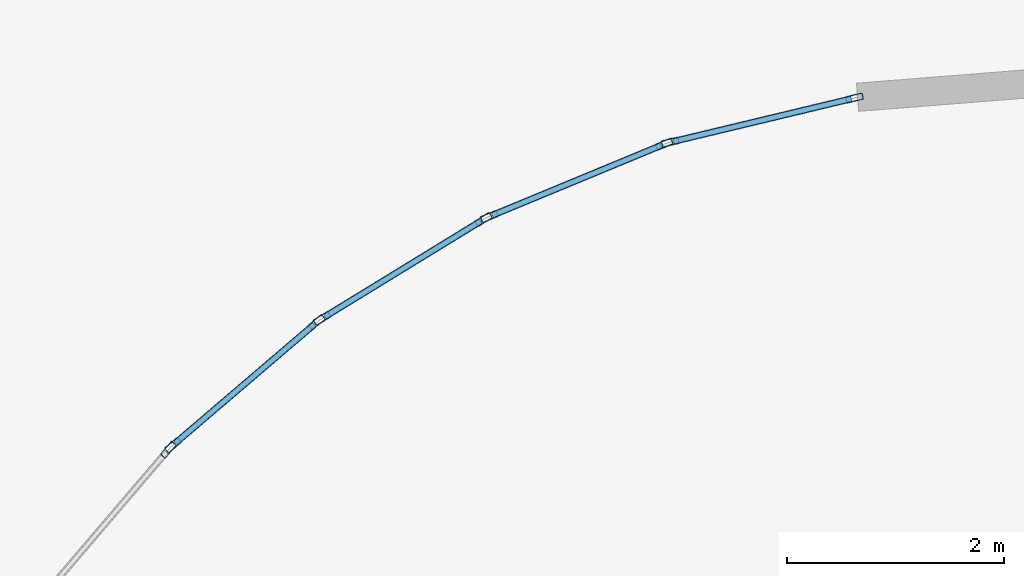
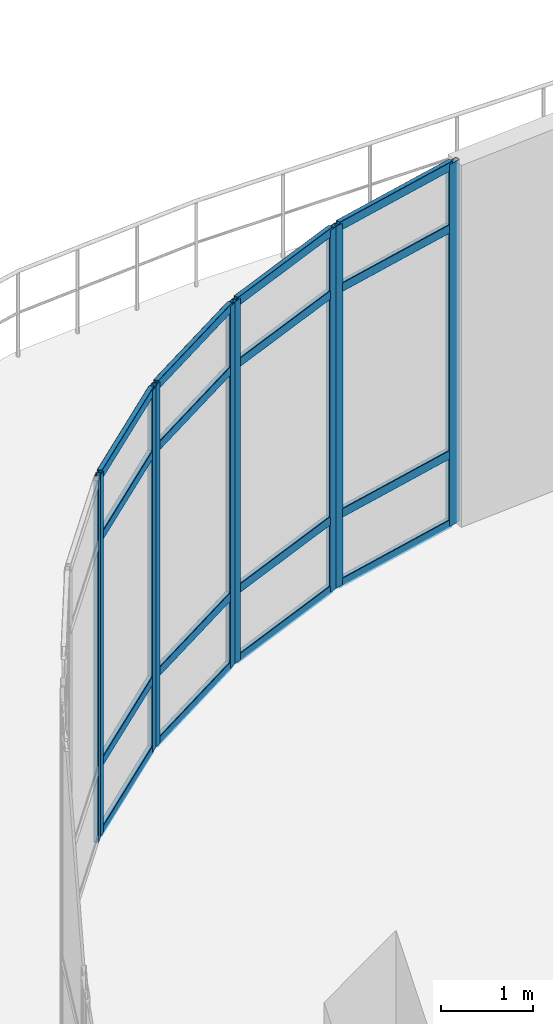
# One storey, part 21 of 120: 25 members, 5 elements without a shape of their own.
"""IFC4 building model written with IfcOpenShell, lengths in metres."""

from ifc_helpers import new_model, si_unit, derived_unit, direction, frame, origin, origin_2d, place, context, subcontext, project, spatial, hollow_rectangle, extrude, material, layer, layer_set, material_profile, profile_set, type_object, element, aggregate, save


model = new_model("IFC4")

# Units and contexts
model_context = context("Model", 3, precision=1e-05, world=origin(), true_north=direction((0.0, 1.0)))
body_context = subcontext(model_context, "Body", "Model", "MODEL_VIEW")
ifc_project = project(units=[si_unit("LENGTHUNIT", "METRE"), si_unit("AREAUNIT", "SQUARE_METRE"), si_unit("VOLUMEUNIT", "CUBIC_METRE"), si_unit("PLANEANGLEUNIT", "RADIAN"), si_unit("MASSUNIT", "GRAM", prefix="KILO"), derived_unit("THERMALTRANSMITTANCEUNIT", [(si_unit("MASSUNIT", "GRAM", prefix="KILO"), 1), (si_unit("TIMEUNIT", "SECOND"), -3), (si_unit("THERMODYNAMICTEMPERATUREUNIT", "KELVIN"), -1)])], contexts=[model_context])

# Site, building, storey
site_placement = place(None, origin())
site = spatial("IfcSite", under=ifc_project, at=site_placement, CompositionType="ELEMENT")
building_placement = place(site_placement, origin())
building = spatial("IfcBuilding", under=site, at=building_placement, Name="Qinzheling Arcade Emporium", CompositionType="ELEMENT")
storey_placement = place(building_placement, frame((0.0, 0.0, 11.39990234375)))
storey = spatial("IfcBuildingStorey", under=building, at=storey_placement, Name="L03", CompositionType="ELEMENT", Elevation=11.39990234375)

# Curtain wall, member
ifc_material_1 = material(Name="Anodised aluminium and solar-control double glazing", Category="aluminium")
ifc_layer = layer(ifc_material_1, 0.159912109375, Name="Anodised aluminium and solar-control double glazing", Category="aluminium")
ifc_layer_set = layer_set([ifc_layer], Name="Anodised aluminium and solar-control double glazing")
curtain_wall_type = type_object("IfcCurtainWallType", Name="Curved Ribbon Sales Curtain Wall", PredefinedType="NOTDEFINED", material=ifc_layer_set)
curtain_wall_1_placement = place(storey_placement, origin())
curtain_wall_1 = element("IfcCurtainWall", 1, at=curtain_wall_1_placement, inside=storey, type_object=curtain_wall_type, Name="Curtain Wall CW-L03-168", PredefinedType="NOTDEFINED")
ifc_material_2 = material(Name="Anodised aluminium 6063-T6", Category="aluminium")
ifc_material_profile_1 = material_profile(ifc_material_2, hollow_rectangle(XDim=0.06005859375, YDim=0.159912109375, WallThickness=0.00390625, InnerFilletRadius=0.00390625, OuterFilletRadius=0.008056640625, at=origin_2d()), Name="RHS 160x60x4", Category="aluminium")
ifc_profile_set_1 = profile_set([ifc_material_profile_1], Name="Anodised aluminium 6063-T6")
member_type_1 = type_object("IfcMemberType", Name="Curtain Wall Mullion RHS160x60", PredefinedType="MULLION", material=ifc_profile_set_1)
member_1_placement = place(storey_placement, frame((17.548583984375, 56.80908203125, 0.0), z_axis=(0.0, 0.0, 1.0), x_axis=(-0.760350870345, 0.649512551046, 0.0)))
member_1 = element("IfcMember", 2, at=member_1_placement, type_object=member_type_1, Name="CW02 mullion 2", PredefinedType="MULLION", context=body_context, shape_type="SweptSolid", body=[
    extrude(hollow_rectangle(XDim=0.06005859375, YDim=0.159912109375, WallThickness=0.00390625, InnerFilletRadius=0.00390625, OuterFilletRadius=0.008056640625, at=origin_2d()), origin(), (0.0, 0.0, 1.0), 4.7900390625),
])
aggregate(curtain_wall_1, [member_1])

# Curtain wall, members
curtain_wall_2_placement = place(storey_placement, origin())
curtain_wall_2 = element("IfcCurtainWall", 3, at=curtain_wall_2_placement, inside=storey, type_object=curtain_wall_type, Name="Curtain Wall CW-L03-169", PredefinedType="NOTDEFINED")
member_2_placement = place(storey_placement, frame((17.5908203125, 56.8515625, 0.0), z_axis=(0.0, 0.0, 1.0), x_axis=(-0.649512551046, 0.760350870345, 0.0)))
member_2 = element("IfcMember", 4, at=member_2_placement, type_object=member_type_1, Name="CW02 mullion 1", PredefinedType="MULLION", context=body_context, shape_type="SweptSolid", body=[
    extrude(hollow_rectangle(XDim=0.06005859375, YDim=0.159912109375, WallThickness=0.00390625, InnerFilletRadius=0.00390625, OuterFilletRadius=0.008056640625, at=origin_2d()), origin(), (0.0, 0.0, 1.0), 4.7900390625),
])
member_3_placement = place(storey_placement, frame((18.917236328125, 57.984619140625, 0.0), z_axis=(0.0, 0.0, 1.0), x_axis=(-0.649512551046, 0.760350870345, 0.0)))
member_3 = element("IfcMember", 5, at=member_3_placement, type_object=member_type_1, Name="CW02 mullion 2", PredefinedType="MULLION", context=body_context, shape_type="SweptSolid", body=[
    extrude(hollow_rectangle(XDim=0.06005859375, YDim=0.159912109375, WallThickness=0.00390625, InnerFilletRadius=0.00390625, OuterFilletRadius=0.008056640625, at=origin_2d()), origin(), (0.0, 0.0, 1.0), 4.7900390625),
])

curtain_wall_3_placement = place(storey_placement, origin())
curtain_wall_3 = element("IfcCurtainWall", 6, at=curtain_wall_3_placement, inside=storey, type_object=curtain_wall_type, Name="Curtain Wall CW-L03-170", PredefinedType="NOTDEFINED")
member_4_placement = place(storey_placement, frame((18.965576171875, 58.019775390625, 0.0), z_axis=(0.0, 0.0, 1.0), x_axis=(-0.522458119474, 0.852664947911, 0.0)))
member_4 = element("IfcMember", 7, at=member_4_placement, type_object=member_type_1, Name="CW02 mullion 1", PredefinedType="MULLION", context=body_context, shape_type="SweptSolid", body=[
    extrude(hollow_rectangle(XDim=0.06005859375, YDim=0.159912109375, WallThickness=0.00390625, InnerFilletRadius=0.00390625, OuterFilletRadius=0.008056640625, at=origin_2d()), origin(), (0.0, 0.0, 1.0), 4.7900390625),
])
member_5_placement = place(storey_placement, frame((20.453369140625, 58.931396484375, 0.0), z_axis=(0.0, 0.0, 1.0), x_axis=(-0.522458119474, 0.852664947911, 0.0)))
member_5 = element("IfcMember", 8, at=member_5_placement, type_object=member_type_1, Name="CW02 mullion 2", PredefinedType="MULLION", context=body_context, shape_type="SweptSolid", body=[
    extrude(hollow_rectangle(XDim=0.06005859375, YDim=0.159912109375, WallThickness=0.00390625, InnerFilletRadius=0.00390625, OuterFilletRadius=0.008056640625, at=origin_2d()), origin(), (0.0, 0.0, 1.0), 4.7900390625),
])

curtain_wall_4_placement = place(storey_placement, origin())
curtain_wall_4 = element("IfcCurtainWall", 9, at=curtain_wall_4_placement, inside=storey, type_object=curtain_wall_type, Name="Curtain Wall CW-L03-171", PredefinedType="NOTDEFINED")
member_6_placement = place(storey_placement, frame((20.5068359375, 58.95849609375, 0.0), z_axis=(0.0, 0.0, 1.0), x_axis=(-0.382449703098, 0.92397631171, 0.0)))
member_6 = element("IfcMember", 10, at=member_6_placement, type_object=member_type_1, Name="CW02 mullion 1", PredefinedType="MULLION", context=body_context, shape_type="SweptSolid", body=[
    extrude(hollow_rectangle(XDim=0.06005859375, YDim=0.159912109375, WallThickness=0.00390625, InnerFilletRadius=0.00390625, OuterFilletRadius=0.008056640625, at=origin_2d()), origin(), (0.0, 0.0, 1.0), 4.7900390625),
])
member_7_placement = place(storey_placement, frame((22.1181640625, 59.62548828125, 0.0), z_axis=(0.0, 0.0, 1.0), x_axis=(-0.382449703098, 0.92397631171, 0.0)))
member_7 = element("IfcMember", 11, at=member_7_placement, type_object=member_type_1, Name="CW02 mullion 2", PredefinedType="MULLION", context=body_context, shape_type="SweptSolid", body=[
    extrude(hollow_rectangle(XDim=0.06005859375, YDim=0.159912109375, WallThickness=0.00390625, InnerFilletRadius=0.00390625, OuterFilletRadius=0.008056640625, at=origin_2d()), origin(), (0.0, 0.0, 1.0), 4.7900390625),
])

curtain_wall_5_placement = place(storey_placement, origin())
curtain_wall_5 = element("IfcCurtainWall", 12, at=curtain_wall_5_placement, inside=storey, type_object=curtain_wall_type, Name="Curtain Wall CW-L03-172", PredefinedType="NOTDEFINED")
member_8_placement = place(storey_placement, frame((22.17529296875, 59.64404296875, 0.0), z_axis=(0.0, 0.0, 1.0), x_axis=(-0.23326817027, 0.972412443739, 0.0)))
member_8 = element("IfcMember", 13, at=member_8_placement, type_object=member_type_1, Name="CW02 mullion 1", PredefinedType="MULLION", context=body_context, shape_type="SweptSolid", body=[
    extrude(hollow_rectangle(XDim=0.06005859375, YDim=0.159912109375, WallThickness=0.00390625, InnerFilletRadius=0.00390625, OuterFilletRadius=0.008056640625, at=origin_2d()), origin(), (0.0, 0.0, 1.0), 4.7900390625),
])
member_9_placement = place(storey_placement, frame((23.871826171875, 60.051025390625, 0.0), z_axis=(0.0, 0.0, 1.0), x_axis=(-0.23326817027, 0.972412443739, 0.0)))
member_9 = element("IfcMember", 14, at=member_9_placement, type_object=member_type_1, Name="CW02 mullion 2", PredefinedType="MULLION", context=body_context, shape_type="SweptSolid", body=[
    extrude(hollow_rectangle(XDim=0.06005859375, YDim=0.159912109375, WallThickness=0.00390625, InnerFilletRadius=0.00390625, OuterFilletRadius=0.008056640625, at=origin_2d()), origin(), (0.0, 0.0, 1.0), 4.7900390625),
])

# Member
ifc_material_profile_2 = material_profile(ifc_material_2, hollow_rectangle(XDim=0.06005859375, YDim=0.1201171875, WallThickness=0.00390625, InnerFilletRadius=0.00390625, OuterFilletRadius=0.008056640625, at=origin_2d()), Name="RHS 120x60x4", Category="aluminium")
ifc_profile_set_2 = profile_set([ifc_material_profile_2], Name="Anodised aluminium 6063-T6")
member_type_2 = type_object("IfcMemberType", Name="Curtain Wall Transom RHS120x60", PredefinedType="USERDEFINED", material=ifc_profile_set_2)
member_10_placement = place(storey_placement, frame((17.613525390625, 56.870849609375, 0.030029296875), z_axis=(0.760299117332, 0.649573130744, 0.0), x_axis=(-0.649573130744, 0.760299117332, 0.0)))
member_10 = element("IfcMember", 15, at=member_10_placement, type_object=member_type_2, Name="CW02 transom 1.1", ObjectType="TRANSOM", PredefinedType="USERDEFINED", context=body_context, shape_type="SweptSolid", body=[
    extrude(hollow_rectangle(XDim=0.06005859375, YDim=0.1201171875, WallThickness=0.00390625, InnerFilletRadius=0.00390625, OuterFilletRadius=0.008056640625, at=origin_2d()), origin(), (0.0, 0.0, 1.0), 1.6845703125),
])

member_11_placement = place(storey_placement, frame((17.613525390625, 56.870849609375, 0.9501953125), z_axis=(0.760299117332, 0.649573130744, 0.0), x_axis=(-0.649573130744, 0.760299117332, 0.0)))
member_11 = element("IfcMember", 16, at=member_11_placement, type_object=member_type_2, Name="CW02 transom 1.2", ObjectType="TRANSOM", PredefinedType="USERDEFINED", context=body_context, shape_type="SweptSolid", body=[
    extrude(hollow_rectangle(XDim=0.06005859375, YDim=0.1201171875, WallThickness=0.00390625, InnerFilletRadius=0.00390625, OuterFilletRadius=0.008056640625, at=origin_2d()), origin(), (0.0, 0.0, 1.0), 1.6845703125),
])

member_12_placement = place(storey_placement, frame((17.613525390625, 56.870849609375, 3.940185546875), z_axis=(0.760299117332, 0.649573130744, 0.0), x_axis=(-0.649573130744, 0.760299117332, 0.0)))
member_12 = element("IfcMember", 17, at=member_12_placement, type_object=member_type_2, Name="CW02 transom 1.3", ObjectType="TRANSOM", PredefinedType="USERDEFINED", context=body_context, shape_type="SweptSolid", body=[
    extrude(hollow_rectangle(XDim=0.06005859375, YDim=0.1201171875, WallThickness=0.00390625, InnerFilletRadius=0.00390625, OuterFilletRadius=0.008056640625, at=origin_2d()), origin(), (0.0, 0.0, 1.0), 1.6845703125),
])

member_13_placement = place(storey_placement, frame((17.613525390625, 56.870849609375, 4.760009765625), z_axis=(0.760299117332, 0.649573130744, 0.0), x_axis=(-0.649573130744, 0.760299117332, 0.0)))
member_13 = element("IfcMember", 18, at=member_13_placement, type_object=member_type_2, Name="CW02 transom 1.4", ObjectType="TRANSOM", PredefinedType="USERDEFINED", context=body_context, shape_type="SweptSolid", body=[
    extrude(hollow_rectangle(XDim=0.06005859375, YDim=0.1201171875, WallThickness=0.00390625, InnerFilletRadius=0.00390625, OuterFilletRadius=0.008056640625, at=origin_2d()), origin(), (0.0, 0.0, 1.0), 1.6845703125),
])

aggregate(curtain_wall_2, [member_2, member_3, member_10, member_11, member_12, member_13])

member_14_placement = place(storey_placement, frame((18.9912109375, 58.035400390625, 0.030029296875), z_axis=(0.852622077743, 0.522528078236, 0.0), x_axis=(-0.522528078236, 0.852622077743, 0.0)))
member_14 = element("IfcMember", 19, at=member_14_placement, type_object=member_type_2, Name="CW02 transom 1.1", ObjectType="TRANSOM", PredefinedType="USERDEFINED", context=body_context, shape_type="SweptSolid", body=[
    extrude(hollow_rectangle(XDim=0.06005859375, YDim=0.1201171875, WallThickness=0.00390625, InnerFilletRadius=0.00390625, OuterFilletRadius=0.008056640625, at=origin_2d()), origin(), (0.0, 0.0, 1.0), 1.684814453125),
])

member_15_placement = place(storey_placement, frame((18.9912109375, 58.035400390625, 0.9501953125), z_axis=(0.852622077743, 0.522528078236, 0.0), x_axis=(-0.522528078236, 0.852622077743, 0.0)))
member_15 = element("IfcMember", 20, at=member_15_placement, type_object=member_type_2, Name="CW02 transom 1.2", ObjectType="TRANSOM", PredefinedType="USERDEFINED", context=body_context, shape_type="SweptSolid", body=[
    extrude(hollow_rectangle(XDim=0.06005859375, YDim=0.1201171875, WallThickness=0.00390625, InnerFilletRadius=0.00390625, OuterFilletRadius=0.008056640625, at=origin_2d()), origin(), (0.0, 0.0, 1.0), 1.684814453125),
])

member_16_placement = place(storey_placement, frame((18.9912109375, 58.035400390625, 3.940185546875), z_axis=(0.852622077743, 0.522528078236, 0.0), x_axis=(-0.522528078236, 0.852622077743, 0.0)))
member_16 = element("IfcMember", 21, at=member_16_placement, type_object=member_type_2, Name="CW02 transom 1.3", ObjectType="TRANSOM", PredefinedType="USERDEFINED", context=body_context, shape_type="SweptSolid", body=[
    extrude(hollow_rectangle(XDim=0.06005859375, YDim=0.1201171875, WallThickness=0.00390625, InnerFilletRadius=0.00390625, OuterFilletRadius=0.008056640625, at=origin_2d()), origin(), (0.0, 0.0, 1.0), 1.684814453125),
])

member_17_placement = place(storey_placement, frame((18.9912109375, 58.035400390625, 4.760009765625), z_axis=(0.852622077743, 0.522528078236, 0.0), x_axis=(-0.522528078236, 0.852622077743, 0.0)))
member_17 = element("IfcMember", 22, at=member_17_placement, type_object=member_type_2, Name="CW02 transom 1.4", ObjectType="TRANSOM", PredefinedType="USERDEFINED", context=body_context, shape_type="SweptSolid", body=[
    extrude(hollow_rectangle(XDim=0.06005859375, YDim=0.1201171875, WallThickness=0.00390625, InnerFilletRadius=0.00390625, OuterFilletRadius=0.008056640625, at=origin_2d()), origin(), (0.0, 0.0, 1.0), 1.684814453125),
])

aggregate(curtain_wall_3, [member_4, member_5, member_14, member_15, member_16, member_17])

member_18_placement = place(storey_placement, frame((20.534423828125, 58.969970703125, 0.030029296875), z_axis=(0.923992105891, 0.382411543041, 0.0), x_axis=(-0.382411543041, 0.923992105891, 0.0)))
member_18 = element("IfcMember", 23, at=member_18_placement, type_object=member_type_2, Name="CW02 transom 1.1", ObjectType="TRANSOM", PredefinedType="USERDEFINED", context=body_context, shape_type="SweptSolid", body=[
    extrude(hollow_rectangle(XDim=0.06005859375, YDim=0.1201171875, WallThickness=0.00390625, InnerFilletRadius=0.00390625, OuterFilletRadius=0.008056640625, at=origin_2d()), origin(), (0.0, 0.0, 1.0), 1.68408203125),
])

member_19_placement = place(storey_placement, frame((20.534423828125, 58.969970703125, 0.9501953125), z_axis=(0.923992105891, 0.382411543041, 0.0), x_axis=(-0.382411543041, 0.923992105891, 0.0)))
member_19 = element("IfcMember", 24, at=member_19_placement, type_object=member_type_2, Name="CW02 transom 1.2", ObjectType="TRANSOM", PredefinedType="USERDEFINED", context=body_context, shape_type="SweptSolid", body=[
    extrude(hollow_rectangle(XDim=0.06005859375, YDim=0.1201171875, WallThickness=0.00390625, InnerFilletRadius=0.00390625, OuterFilletRadius=0.008056640625, at=origin_2d()), origin(), (0.0, 0.0, 1.0), 1.68408203125),
])

member_20_placement = place(storey_placement, frame((20.534423828125, 58.969970703125, 3.940185546875), z_axis=(0.923992105891, 0.382411543041, 0.0), x_axis=(-0.382411543041, 0.923992105891, 0.0)))
member_20 = element("IfcMember", 25, at=member_20_placement, type_object=member_type_2, Name="CW02 transom 1.3", ObjectType="TRANSOM", PredefinedType="USERDEFINED", context=body_context, shape_type="SweptSolid", body=[
    extrude(hollow_rectangle(XDim=0.06005859375, YDim=0.1201171875, WallThickness=0.00390625, InnerFilletRadius=0.00390625, OuterFilletRadius=0.008056640625, at=origin_2d()), origin(), (0.0, 0.0, 1.0), 1.68408203125),
])

member_21_placement = place(storey_placement, frame((20.534423828125, 58.969970703125, 4.760009765625), z_axis=(0.923992105891, 0.382411543041, 0.0), x_axis=(-0.382411543041, 0.923992105891, 0.0)))
member_21 = element("IfcMember", 26, at=member_21_placement, type_object=member_type_2, Name="CW02 transom 1.4", ObjectType="TRANSOM", PredefinedType="USERDEFINED", context=body_context, shape_type="SweptSolid", body=[
    extrude(hollow_rectangle(XDim=0.06005859375, YDim=0.1201171875, WallThickness=0.00390625, InnerFilletRadius=0.00390625, OuterFilletRadius=0.008056640625, at=origin_2d()), origin(), (0.0, 0.0, 1.0), 1.68408203125),
])

aggregate(curtain_wall_4, [member_6, member_7, member_18, member_19, member_20, member_21])

member_22_placement = place(storey_placement, frame((22.204345703125, 59.65087890625, 0.030029296875), z_axis=(0.972408342168, 0.233285267604, 0.0), x_axis=(-0.233285267604, 0.972408342168, 0.0)))
member_22 = element("IfcMember", 27, at=member_22_placement, type_object=member_type_2, Name="CW02 transom 1.1", ObjectType="TRANSOM", PredefinedType="USERDEFINED", context=body_context, shape_type="SweptSolid", body=[
    extrude(hollow_rectangle(XDim=0.06005859375, YDim=0.1201171875, WallThickness=0.00390625, InnerFilletRadius=0.00390625, OuterFilletRadius=0.008056640625, at=origin_2d()), origin(), (0.0, 0.0, 1.0), 1.684814453125),
])

member_23_placement = place(storey_placement, frame((22.204345703125, 59.65087890625, 0.9501953125), z_axis=(0.972408342168, 0.233285267604, 0.0), x_axis=(-0.233285267604, 0.972408342168, 0.0)))
member_23 = element("IfcMember", 28, at=member_23_placement, type_object=member_type_2, Name="CW02 transom 1.2", ObjectType="TRANSOM", PredefinedType="USERDEFINED", context=body_context, shape_type="SweptSolid", body=[
    extrude(hollow_rectangle(XDim=0.06005859375, YDim=0.1201171875, WallThickness=0.00390625, InnerFilletRadius=0.00390625, OuterFilletRadius=0.008056640625, at=origin_2d()), origin(), (0.0, 0.0, 1.0), 1.684814453125),
])

member_24_placement = place(storey_placement, frame((22.204345703125, 59.65087890625, 3.940185546875), z_axis=(0.972408342168, 0.233285267604, 0.0), x_axis=(-0.233285267604, 0.972408342168, 0.0)))
member_24 = element("IfcMember", 29, at=member_24_placement, type_object=member_type_2, Name="CW02 transom 1.3", ObjectType="TRANSOM", PredefinedType="USERDEFINED", context=body_context, shape_type="SweptSolid", body=[
    extrude(hollow_rectangle(XDim=0.06005859375, YDim=0.1201171875, WallThickness=0.00390625, InnerFilletRadius=0.00390625, OuterFilletRadius=0.008056640625, at=origin_2d()), origin(), (0.0, 0.0, 1.0), 1.684814453125),
])

member_25_placement = place(storey_placement, frame((22.204345703125, 59.65087890625, 4.760009765625), z_axis=(0.972408342168, 0.233285267604, 0.0), x_axis=(-0.233285267604, 0.972408342168, 0.0)))
member_25 = element("IfcMember", 30, at=member_25_placement, type_object=member_type_2, Name="CW02 transom 1.4", ObjectType="TRANSOM", PredefinedType="USERDEFINED", context=body_context, shape_type="SweptSolid", body=[
    extrude(hollow_rectangle(XDim=0.06005859375, YDim=0.1201171875, WallThickness=0.00390625, InnerFilletRadius=0.00390625, OuterFilletRadius=0.008056640625, at=origin_2d()), origin(), (0.0, 0.0, 1.0), 1.684814453125),
])

aggregate(curtain_wall_5, [member_8, member_9, member_22, member_23, member_24, member_25])

save(model, "model.ifc")
